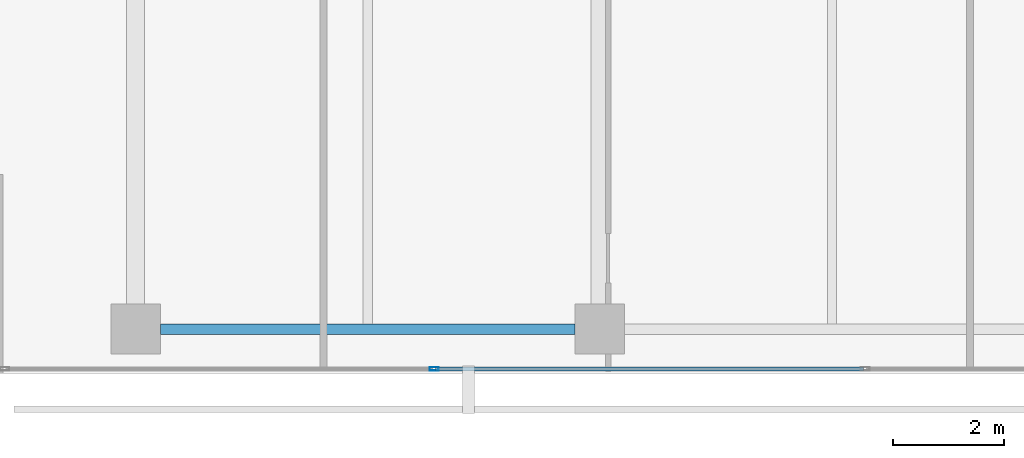
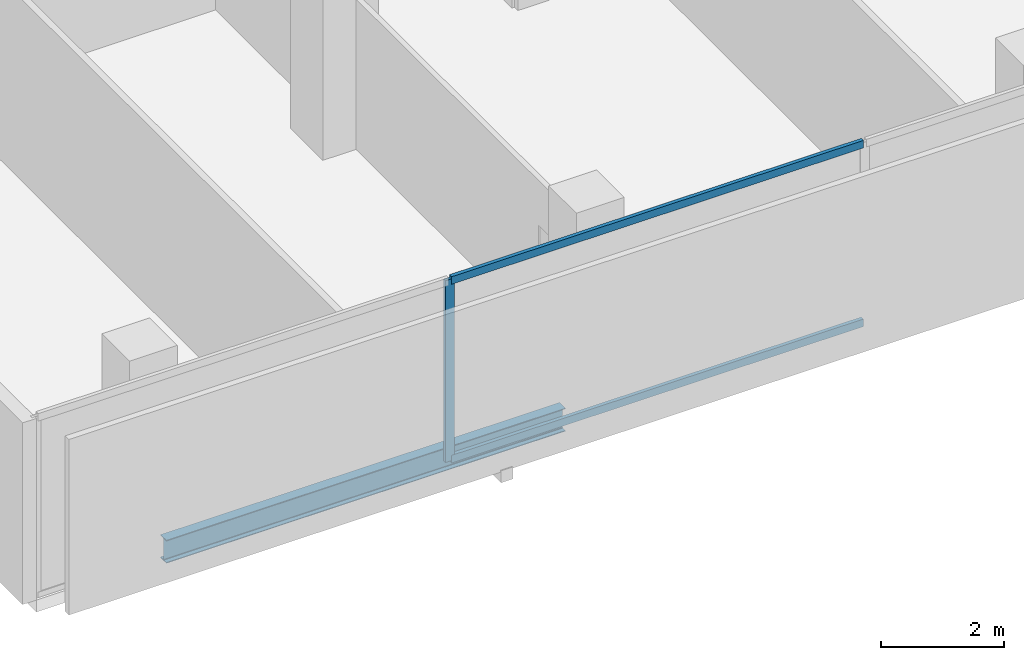
# One storey, part 3 of 39: 3 members, 1 beam, 1 element without a shape of its own.
"""IFC4 building model written with IfcOpenShell, lengths in metres."""

import ifcopenshell
import ifcopenshell.guid

model = None  # the IFC model being written
_history = None  # IfcOwnerHistory: only IFC2X3 demands one
_inside = {}  # id of a spatial element -> (the spatial element, [elements in it])
_under = {}  # id of a project, library or spatial element -> (it, [spatial elements below it])
_declared = {}  # id of a project -> (the project, [libraries it declares])
_typed = {}  # id of a type object -> (the type object, [elements of that type])
_made_of = {}  # id of a material, layer set ... -> (it, [elements and type objects made of it])


def new_model(schema):
    """Start an empty IFC model of exactly this schema.

    Asked for "IFC4X3", IfcOpenShell would pick the latest addendum, in which some entities
    have other attributes; the version numbers below select the first issue.
    IFC2X3 requires an IfcOwnerHistory on every rooted entity: one is made here for all.
    """
    global model, _history
    if schema == "IFC4X3":
        model = ifcopenshell.file(schema_version=(4, 3, 0, 0))
    else:
        model = ifcopenshell.file(schema=schema)
    _inside.clear()
    _under.clear()
    _declared.clear()
    _typed.clear()
    _made_of.clear()
    _history = None
    if model.schema == "IFC2X3":
        org = make("IfcOrganization", Name="unknown")
        user = make(
            "IfcPersonAndOrganization",
            ThePerson=make("IfcPerson", FamilyName="unknown"),
            TheOrganization=org,
        )
        app = make(
            "IfcApplication",
            ApplicationDeveloper=org,
            Version="unknown",
            ApplicationFullName="unknown",
            ApplicationIdentifier="unknown",
        )
        _history = make(
            "IfcOwnerHistory",
            OwningUser=user,
            OwningApplication=app,
            ChangeAction="ADDED",
            CreationDate=0,
        )
    return model


def make(cls, **values):
    """One entity of the class cls with the attributes given. An attribute that is None is left unset."""
    return model.create_entity(
        cls, **{name: value for name, value in values.items() if value is not None}
    )


def rooted(cls, **values):
    """An entity with a GlobalId (a new one), such as an element, a storey or a relation."""
    return make(cls, GlobalId=ifcopenshell.guid.new(), OwnerHistory=_history, **values)


def si_unit(unit_type, name, prefix=None):
    """IfcSIUnit, for example si_unit("LENGTHUNIT", "METRE", prefix="MILLI")."""
    return make("IfcSIUnit", UnitType=unit_type, Prefix=prefix, Name=name)


def assignment(units):
    """IfcUnitAssignment: the units of a project."""
    return None if units is None else make("IfcUnitAssignment", Units=units)


def point(xyz):
    """IfcCartesianPoint."""
    return None if xyz is None else make("IfcCartesianPoint", Coordinates=xyz)


def direction(xyz):
    """IfcDirection."""
    return None if xyz is None else make("IfcDirection", DirectionRatios=xyz)


def frame(location, z_axis=None, x_axis=None):
    """IfcAxis2Placement3D, a coordinate frame: its origin and axes. An axis left out is left unset."""
    return make(
        "IfcAxis2Placement3D",
        Location=point(location),
        Axis=direction(z_axis),
        RefDirection=direction(x_axis),
    )


def frame_2d(location, x_axis=None):
    """IfcAxis2Placement2D, a coordinate frame in the plane: its origin and x axis."""
    return make(
        "IfcAxis2Placement2D", Location=point(location), RefDirection=direction(x_axis)
    )


def origin():
    """The frame at (0, 0, 0) with its axes left unset."""
    return frame((0.0, 0.0, 0.0))


def origin_2d():
    """The frame at (0, 0) in the plane with its x axis left unset."""
    return frame_2d((0.0, 0.0))


def place(relative_to, where):
    """IfcLocalPlacement: puts the frame where relative to a parent placement (None: the world)."""
    return make(
        "IfcLocalPlacement", PlacementRelTo=relative_to, RelativePlacement=where
    )


def context(
    kind, dimensions, precision=None, world=None, true_north=None, identifier=None
):
    """IfcGeometricRepresentationContext, for example the 3D "Model" context."""
    return make(
        "IfcGeometricRepresentationContext",
        ContextIdentifier=identifier,
        ContextType=kind,
        CoordinateSpaceDimension=dimensions,
        Precision=precision,
        WorldCoordinateSystem=world,
        TrueNorth=true_north,
    )


def subcontext(parent, identifier, kind, view, scale=None):
    """IfcGeometricRepresentationSubContext, for example "Body" below "Model"."""
    return make(
        "IfcGeometricRepresentationSubContext",
        ContextIdentifier=identifier,
        ContextType=kind,
        ParentContext=parent,
        TargetScale=scale,
        TargetView=view,
    )


def project(units=None, contexts=None):
    """IfcProject with its units and contexts."""
    return rooted(
        "IfcProject",
        Name="project",
        RepresentationContexts=contexts,
        UnitsInContext=assignment(units),
    )


def spatial(cls, under=None, at=None, **own):
    """A site, building, storey or space (cls), placed at a placement, below another one or the project."""
    s = rooted(cls, ObjectPlacement=at, **own)
    if under is not None:
        _under.setdefault(under.id(), (under, []))[1].append(s)
    return s


def profile(cls, at=None, kind="AREA", **sizes):
    """A parametric profile (cls). Its sizes go by their IFC names, for example OverallWidth=200.0."""
    return make(cls, ProfileType=kind, Position=at, **sizes)


def hollow_rectangle(**sizes):
    """IfcRectangleHollowProfileDef."""
    return profile("IfcRectangleHollowProfileDef", **sizes)


def i_section(**sizes):
    """IfcIShapeProfileDef."""
    return profile("IfcIShapeProfileDef", **sizes)


def extrude(swept, where, along, depth):
    """IfcExtrudedAreaSolid: the profile swept, set in the frame where, extruded along a direction by depth."""
    return make(
        "IfcExtrudedAreaSolid",
        SweptArea=swept,
        Position=where,
        ExtrudedDirection=direction(along),
        Depth=depth,
    )


def shape(context_of_items, identifier, shape_type, items):
    """IfcShapeRepresentation: the items that make up one representation, for example the "Body"."""
    return make(
        "IfcShapeRepresentation",
        ContextOfItems=context_of_items,
        RepresentationIdentifier=identifier,
        RepresentationType=shape_type,
        Items=items,
    )


def material(Name=None, Category=None):
    """IfcMaterial."""
    return make("IfcMaterial", Name=Name, Category=Category)


def layer(
    of_material, thickness, ventilated=None, Name=None, Category=None, Priority=None
):
    """IfcMaterialLayer: one layer of a wall or slab, of a material (None: an air gap)."""
    return make(
        "IfcMaterialLayer",
        Material=of_material,
        LayerThickness=thickness,
        IsVentilated=ventilated,
        Name=Name,
        Category=Category,
        Priority=Priority,
    )


def layer_set(layers, Name=None):
    """IfcMaterialLayerSet."""
    return make("IfcMaterialLayerSet", MaterialLayers=layers, LayerSetName=Name)


def material_profile(
    of_material, cross_section, Name=None, Category=None, Priority=None
):
    """IfcMaterialProfile: a cross section and its material."""
    return make(
        "IfcMaterialProfile",
        Name=Name,
        Material=of_material,
        Profile=cross_section,
        Priority=Priority,
        Category=Category,
    )


def profile_set(profiles, Name=None, composite=None):
    """IfcMaterialProfileSet."""
    return make(
        "IfcMaterialProfileSet",
        Name=Name,
        MaterialProfiles=profiles,
        CompositeProfile=composite,
    )


def made_of(thing, what):
    """Note that an element or type object is made of a material, layer set ...; save() writes the relation."""
    if what is not None:
        _made_of.setdefault(what.id(), (what, []))[1].append(thing)
    return thing


def type_object(cls, material=None, **own):
    """A type object (cls), such as IfcWallType, which elements share."""
    return made_of(rooted(cls, **own), material)


def element(
    cls,
    number,
    at=None,
    inside=None,
    cuts=None,
    type_object=None,
    material=None,
    context=None,
    identifier="Body",
    shape_type=None,
    held_by="IfcProductDefinitionShape",
    body=None,
    shapes=None,
    **own,
):
    """One element of the class cls, such as IfcWall. Its Tag is "e" and its number.

    at: its placement. inside: the storey or other place that contains it. cuts: it is an
    opening in that element (IfcRelVoidsElement). A single representation is given by context,
    identifier, shape_type and body (its items); several are given by shapes. held_by: the class
    of the entity that holds the representations. save() writes the other relations.
    """
    e = rooted(cls, Tag="e%d" % number, ObjectPlacement=at, **own)
    if body is not None:
        shapes = [shape(context, identifier, shape_type, body)]
    if shapes is not None:
        e.Representation = make(held_by, Representations=shapes)
    if inside is not None:
        _inside.setdefault(inside.id(), (inside, []))[1].append(e)
    if cuts is not None:
        rooted(
            "IfcRelVoidsElement", RelatingBuildingElement=cuts, RelatedOpeningElement=e
        )
    if type_object is not None:
        _typed.setdefault(type_object.id(), (type_object, []))[1].append(e)
    return made_of(e, material)


def aggregate(whole, parts):
    """IfcRelAggregates: a whole, such as a stair, and the parts it consists of."""
    return rooted("IfcRelAggregates", RelatingObject=whole, RelatedObjects=parts)


def save(model, path):
    """Write the relations noted so far, then the file.

    IfcRelAggregates (storeys below a building ...), IfcRelContainedInSpatialStructure (elements
    in a storey), IfcRelDefinesByType, IfcRelAssociatesMaterial and IfcRelDeclares: one each for
    every whole, place, type object, material and project.
    """
    for whole, parts in _under.values():
        aggregate(whole, parts)
    for where, things in _inside.values():
        rooted(
            "IfcRelContainedInSpatialStructure",
            RelatedElements=things,
            RelatingStructure=where,
        )
    for kind, things in _typed.values():
        rooted("IfcRelDefinesByType", RelatedObjects=things, RelatingType=kind)
    for what, things in _made_of.values():
        rooted("IfcRelAssociatesMaterial", RelatedObjects=things, RelatingMaterial=what)
    for by, libraries in _declared.values():
        rooted("IfcRelDeclares", RelatingContext=by, RelatedDefinitions=libraries)
    model.write(path)


model = new_model("IFC4")

# Units and contexts
model_context = context("Model", 3, precision=1e-05, world=origin(), true_north=direction((0.0, 1.0)))
body_context = subcontext(model_context, "Body", "Model", "MODEL_VIEW")
ifc_project = project(units=[si_unit("LENGTHUNIT", "METRE"), si_unit("AREAUNIT", "SQUARE_METRE"), si_unit("VOLUMEUNIT", "CUBIC_METRE"), si_unit("PLANEANGLEUNIT", "RADIAN"), si_unit("MASSUNIT", "GRAM", prefix="KILO")], contexts=[model_context])

# Site, building, storey
site_placement = place(None, origin())
site = spatial("IfcSite", under=ifc_project, at=site_placement, CompositionType="ELEMENT")
building_placement = place(site_placement, origin())
building = spatial("IfcBuilding", under=site, at=building_placement, Name="Maruvema Waterfront Hotel and Observation Tower", CompositionType="ELEMENT")
storey_placement = place(building_placement, frame((0.0, 0.0, 65.449951171875)))
storey = spatial("IfcBuildingStorey", under=building, at=storey_placement, Name="L15", CompositionType="ELEMENT", Elevation=65.449951171875)

# Curtain wall, members
ifc_material_1 = material(Name="Anodised bronze aluminium and solar-control low-E IGU", Category="aluminium")
ifc_layer = layer(ifc_material_1, 0.159912109375, Name="Zone 1 Bronze Inner Thermal Curtain Wall System CW-02")
ifc_layer_set = layer_set([ifc_layer], Name="Anodised bronze aluminium and solar-control low-E IGU")
curtain_wall_type = type_object("IfcCurtainWallType", Name="Zone 1 Bronze Inner Thermal Curtain Wall System CW-02", PredefinedType="USERDEFINED", material=ifc_layer_set)
curtain_wall_placement = place(storey_placement, origin())
curtain_wall = element("IfcCurtainWall", 1, at=curtain_wall_placement, inside=storey, type_object=curtain_wall_type, Name="L15 Curtain Wall CW-L15-S", ObjectType="UNITISED CURTAIN WALL", PredefinedType="USERDEFINED")
ifc_material_2 = material(Name="Anodised architectural bronze aluminium", Category="aluminium")
ifc_material_profile_1 = material_profile(ifc_material_2, hollow_rectangle(XDim=0.070068359375, YDim=0.14990234375, WallThickness=0.00390625, at=origin_2d()), Name="ALU-T70x150")
ifc_profile_set_1 = profile_set([ifc_material_profile_1], Name="Anodised architectural bronze aluminium")
member_type_1 = type_object("IfcMemberType", Name="Curtain Wall Horizontal Transom ALU-T70x150", PredefinedType="USERDEFINED", material=ifc_profile_set_1)
member_1_placement = place(storey_placement, frame((22.22998046875, 0.080078125, 0.030029296875), z_axis=(1.0, 0.0, 0.0), x_axis=(0.0, 1.0, 0.0)))
member_1 = element("IfcMember", 2, at=member_1_placement, type_object=member_type_1, Name="CW-02 transom 2.1", ObjectType="TRANSOM", PredefinedType="USERDEFINED", context=body_context, shape_type="SweptSolid", body=[
    extrude(hollow_rectangle(XDim=0.070068359375, YDim=0.14990234375, WallThickness=0.00390625, at=origin_2d()), origin(), (0.0, 0.0, 1.0), 7.739990234375),
])
member_2_placement = place(storey_placement, frame((22.22998046875, 0.080078125, 3.580078125), z_axis=(1.0, 0.0, 0.0), x_axis=(0.0, 1.0, 0.0)))
member_2 = element("IfcMember", 3, at=member_2_placement, type_object=member_type_1, Name="CW-02 transom 2.2", ObjectType="TRANSOM", PredefinedType="USERDEFINED", context=body_context, shape_type="SweptSolid", body=[
    extrude(hollow_rectangle(XDim=0.070068359375, YDim=0.14990234375, WallThickness=0.00390625, at=origin_2d()), origin(), (0.0, 0.0, 1.0), 7.739990234375),
])
ifc_material_3 = material(Name="Anodised architectural bronze aluminium", Category="aluminium")
ifc_material_profile_2 = material_profile(ifc_material_3, hollow_rectangle(XDim=0.06494140625, YDim=0.1650390625, WallThickness=0.00390625, at=origin_2d()), Name="ALU-M65x165")
ifc_profile_set_2 = profile_set([ifc_material_profile_2], Name="Anodised architectural bronze aluminium")
member_type_2 = type_object("IfcMemberType", Name="Curtain Wall Primary Mullion ALU-M65x165", PredefinedType="MULLION", material=ifc_profile_set_2)
member_3_placement = place(storey_placement, frame((22.199951171875, 0.080078125, 0.0), z_axis=(0.0, 0.0, 1.0), x_axis=(0.0, 1.0, 0.0)))
member_3 = element("IfcMember", 4, at=member_3_placement, type_object=member_type_2, Name="CW-02 mullion 2", PredefinedType="MULLION", context=body_context, shape_type="SweptSolid", body=[
    extrude(hollow_rectangle(XDim=0.06494140625, YDim=0.1650390625, WallThickness=0.00390625, at=origin_2d()), origin(), (0.0, 0.0, 1.0), 3.610107421875),
])
aggregate(curtain_wall, [member_3, member_1, member_2])

# Beam
ifc_material_4 = material(Name="Steel ASTM A572 Grade 50", Category="steel")
ifc_material_profile_3 = material_profile(ifc_material_4, i_section(OverallWidth=0.18994140625, OverallDepth=0.45703125, WebThickness=0.009033203125, FlangeThickness=0.014404296875, FilletRadius=0.014892578125, at=origin_2d()), Name="W460x74.0")
ifc_profile_set_3 = profile_set([ifc_material_profile_3], Name="Steel ASTM A572 Grade 50")
beam_type = type_object("IfcBeamType", Name="Perimeter Spandrel Beam W460x74.0", PredefinedType="SPANDREL", material=ifc_profile_set_3)
beam_placement = place(storey_placement, frame((17.25, 0.800048828125, -0.468505859375), z_axis=(1.0, 0.0, 0.0), x_axis=(0.0, 1.0, 0.0)))
element("IfcBeam", 5, at=beam_placement, inside=storey, type_object=beam_type, Name="L15 Floor Girder EW-01", PredefinedType="SPANDREL", context=body_context, shape_type="SweptSolid", body=[
    extrude(i_section(OverallWidth=0.18994140625, OverallDepth=0.45703125, WebThickness=0.009033203125, FlangeThickness=0.014404296875, FilletRadius=0.014892578125, at=origin_2d()), origin(), (0.0, 0.0, 1.0), 7.5),
])

save(model, "model.ifc")
